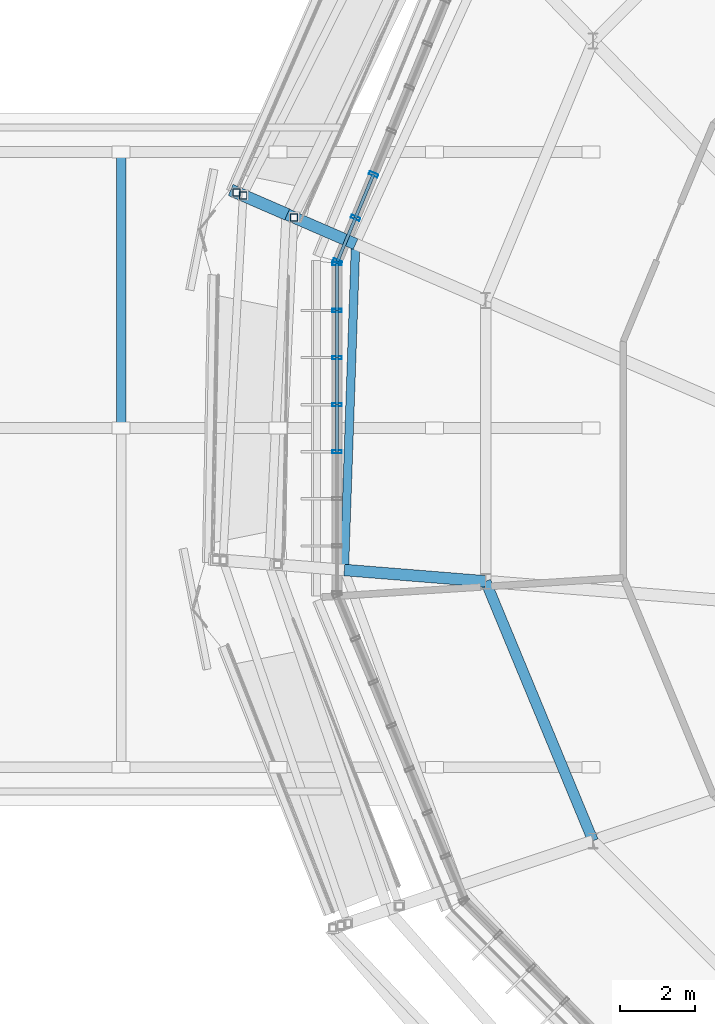
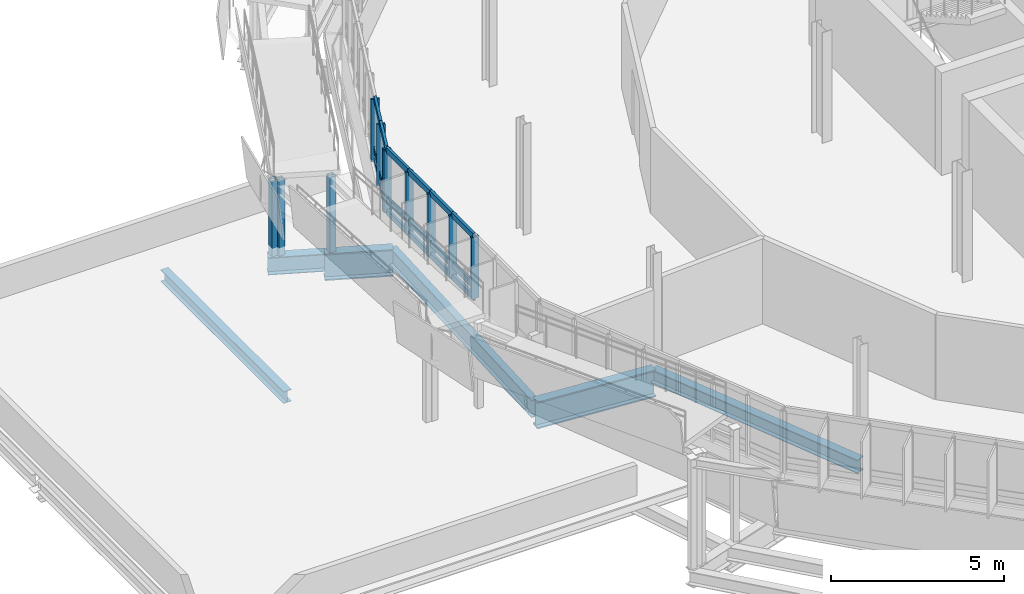
# One storey, part 14 of 61: 29 members, 6 beams, 2 elements without a shape of their own.
"""IFC4 building model written with IfcOpenShell, lengths in metres."""

import ifcopenshell
import ifcopenshell.guid

model = None  # the IFC model being written
_history = None  # IfcOwnerHistory: only IFC2X3 demands one
_inside = {}  # id of a spatial element -> (the spatial element, [elements in it])
_under = {}  # id of a project, library or spatial element -> (it, [spatial elements below it])
_declared = {}  # id of a project -> (the project, [libraries it declares])
_typed = {}  # id of a type object -> (the type object, [elements of that type])
_made_of = {}  # id of a material, layer set ... -> (it, [elements and type objects made of it])


def new_model(schema):
    """Start an empty IFC model of exactly this schema.

    Asked for "IFC4X3", IfcOpenShell would pick the latest addendum, in which some entities
    have other attributes; the version numbers below select the first issue.
    IFC2X3 requires an IfcOwnerHistory on every rooted entity: one is made here for all.
    """
    global model, _history
    if schema == "IFC4X3":
        model = ifcopenshell.file(schema_version=(4, 3, 0, 0))
    else:
        model = ifcopenshell.file(schema=schema)
    _inside.clear()
    _under.clear()
    _declared.clear()
    _typed.clear()
    _made_of.clear()
    _history = None
    if model.schema == "IFC2X3":
        org = make("IfcOrganization", Name="unknown")
        user = make(
            "IfcPersonAndOrganization",
            ThePerson=make("IfcPerson", FamilyName="unknown"),
            TheOrganization=org,
        )
        app = make(
            "IfcApplication",
            ApplicationDeveloper=org,
            Version="unknown",
            ApplicationFullName="unknown",
            ApplicationIdentifier="unknown",
        )
        _history = make(
            "IfcOwnerHistory",
            OwningUser=user,
            OwningApplication=app,
            ChangeAction="ADDED",
            CreationDate=0,
        )
    return model


def make(cls, **values):
    """One entity of the class cls with the attributes given. An attribute that is None is left unset."""
    return model.create_entity(
        cls, **{name: value for name, value in values.items() if value is not None}
    )


def rooted(cls, **values):
    """An entity with a GlobalId (a new one), such as an element, a storey or a relation."""
    return make(cls, GlobalId=ifcopenshell.guid.new(), OwnerHistory=_history, **values)


def si_unit(unit_type, name, prefix=None):
    """IfcSIUnit, for example si_unit("LENGTHUNIT", "METRE", prefix="MILLI")."""
    return make("IfcSIUnit", UnitType=unit_type, Prefix=prefix, Name=name)


def derived_unit(unit_type, elements):
    """IfcDerivedUnit: a product of units, each with its exponent."""
    return make(
        "IfcDerivedUnit",
        Elements=[
            make("IfcDerivedUnitElement", Unit=unit, Exponent=power)
            for unit, power in elements
        ],
        UnitType=unit_type,
    )


def assignment(units):
    """IfcUnitAssignment: the units of a project."""
    return None if units is None else make("IfcUnitAssignment", Units=units)


def point(xyz):
    """IfcCartesianPoint."""
    return None if xyz is None else make("IfcCartesianPoint", Coordinates=xyz)


def direction(xyz):
    """IfcDirection."""
    return None if xyz is None else make("IfcDirection", DirectionRatios=xyz)


def frame(location, z_axis=None, x_axis=None):
    """IfcAxis2Placement3D, a coordinate frame: its origin and axes. An axis left out is left unset."""
    return make(
        "IfcAxis2Placement3D",
        Location=point(location),
        Axis=direction(z_axis),
        RefDirection=direction(x_axis),
    )


def frame_2d(location, x_axis=None):
    """IfcAxis2Placement2D, a coordinate frame in the plane: its origin and x axis."""
    return make(
        "IfcAxis2Placement2D", Location=point(location), RefDirection=direction(x_axis)
    )


def origin():
    """The frame at (0, 0, 0) with its axes left unset."""
    return frame((0.0, 0.0, 0.0))


def origin_2d():
    """The frame at (0, 0) in the plane with its x axis left unset."""
    return frame_2d((0.0, 0.0))


def place(relative_to, where):
    """IfcLocalPlacement: puts the frame where relative to a parent placement (None: the world)."""
    return make(
        "IfcLocalPlacement", PlacementRelTo=relative_to, RelativePlacement=where
    )


def context(
    kind, dimensions, precision=None, world=None, true_north=None, identifier=None
):
    """IfcGeometricRepresentationContext, for example the 3D "Model" context."""
    return make(
        "IfcGeometricRepresentationContext",
        ContextIdentifier=identifier,
        ContextType=kind,
        CoordinateSpaceDimension=dimensions,
        Precision=precision,
        WorldCoordinateSystem=world,
        TrueNorth=true_north,
    )


def subcontext(parent, identifier, kind, view, scale=None):
    """IfcGeometricRepresentationSubContext, for example "Body" below "Model"."""
    return make(
        "IfcGeometricRepresentationSubContext",
        ContextIdentifier=identifier,
        ContextType=kind,
        ParentContext=parent,
        TargetScale=scale,
        TargetView=view,
    )


def project(units=None, contexts=None):
    """IfcProject with its units and contexts."""
    return rooted(
        "IfcProject",
        Name="project",
        RepresentationContexts=contexts,
        UnitsInContext=assignment(units),
    )


def spatial(cls, under=None, at=None, **own):
    """A site, building, storey or space (cls), placed at a placement, below another one or the project."""
    s = rooted(cls, ObjectPlacement=at, **own)
    if under is not None:
        _under.setdefault(under.id(), (under, []))[1].append(s)
    return s


def profile(cls, at=None, kind="AREA", **sizes):
    """A parametric profile (cls). Its sizes go by their IFC names, for example OverallWidth=200.0."""
    return make(cls, ProfileType=kind, Position=at, **sizes)


def hollow_rectangle(**sizes):
    """IfcRectangleHollowProfileDef."""
    return profile("IfcRectangleHollowProfileDef", **sizes)


def i_section(**sizes):
    """IfcIShapeProfileDef."""
    return profile("IfcIShapeProfileDef", **sizes)


def extrude(swept, where, along, depth):
    """IfcExtrudedAreaSolid: the profile swept, set in the frame where, extruded along a direction by depth."""
    return make(
        "IfcExtrudedAreaSolid",
        SweptArea=swept,
        Position=where,
        ExtrudedDirection=direction(along),
        Depth=depth,
    )


def shape(context_of_items, identifier, shape_type, items):
    """IfcShapeRepresentation: the items that make up one representation, for example the "Body"."""
    return make(
        "IfcShapeRepresentation",
        ContextOfItems=context_of_items,
        RepresentationIdentifier=identifier,
        RepresentationType=shape_type,
        Items=items,
    )


def material(Name=None, Category=None):
    """IfcMaterial."""
    return make("IfcMaterial", Name=Name, Category=Category)


def layer(
    of_material, thickness, ventilated=None, Name=None, Category=None, Priority=None
):
    """IfcMaterialLayer: one layer of a wall or slab, of a material (None: an air gap)."""
    return make(
        "IfcMaterialLayer",
        Material=of_material,
        LayerThickness=thickness,
        IsVentilated=ventilated,
        Name=Name,
        Category=Category,
        Priority=Priority,
    )


def layer_set(layers, Name=None):
    """IfcMaterialLayerSet."""
    return make("IfcMaterialLayerSet", MaterialLayers=layers, LayerSetName=Name)


def material_profile(
    of_material, cross_section, Name=None, Category=None, Priority=None
):
    """IfcMaterialProfile: a cross section and its material."""
    return make(
        "IfcMaterialProfile",
        Name=Name,
        Material=of_material,
        Profile=cross_section,
        Priority=Priority,
        Category=Category,
    )


def profile_set(profiles, Name=None, composite=None):
    """IfcMaterialProfileSet."""
    return make(
        "IfcMaterialProfileSet",
        Name=Name,
        MaterialProfiles=profiles,
        CompositeProfile=composite,
    )


def made_of(thing, what):
    """Note that an element or type object is made of a material, layer set ...; save() writes the relation."""
    if what is not None:
        _made_of.setdefault(what.id(), (what, []))[1].append(thing)
    return thing


def type_object(cls, material=None, **own):
    """A type object (cls), such as IfcWallType, which elements share."""
    return made_of(rooted(cls, **own), material)


def element(
    cls,
    number,
    at=None,
    inside=None,
    cuts=None,
    type_object=None,
    material=None,
    context=None,
    identifier="Body",
    shape_type=None,
    held_by="IfcProductDefinitionShape",
    body=None,
    shapes=None,
    **own,
):
    """One element of the class cls, such as IfcWall. Its Tag is "e" and its number.

    at: its placement. inside: the storey or other place that contains it. cuts: it is an
    opening in that element (IfcRelVoidsElement). A single representation is given by context,
    identifier, shape_type and body (its items); several are given by shapes. held_by: the class
    of the entity that holds the representations. save() writes the other relations.
    """
    e = rooted(cls, Tag="e%d" % number, ObjectPlacement=at, **own)
    if body is not None:
        shapes = [shape(context, identifier, shape_type, body)]
    if shapes is not None:
        e.Representation = make(held_by, Representations=shapes)
    if inside is not None:
        _inside.setdefault(inside.id(), (inside, []))[1].append(e)
    if cuts is not None:
        rooted(
            "IfcRelVoidsElement", RelatingBuildingElement=cuts, RelatedOpeningElement=e
        )
    if type_object is not None:
        _typed.setdefault(type_object.id(), (type_object, []))[1].append(e)
    return made_of(e, material)


def aggregate(whole, parts):
    """IfcRelAggregates: a whole, such as a stair, and the parts it consists of."""
    return rooted("IfcRelAggregates", RelatingObject=whole, RelatedObjects=parts)


def save(model, path):
    """Write the relations noted so far, then the file.

    IfcRelAggregates (storeys below a building ...), IfcRelContainedInSpatialStructure (elements
    in a storey), IfcRelDefinesByType, IfcRelAssociatesMaterial and IfcRelDeclares: one each for
    every whole, place, type object, material and project.
    """
    for whole, parts in _under.values():
        aggregate(whole, parts)
    for where, things in _inside.values():
        rooted(
            "IfcRelContainedInSpatialStructure",
            RelatedElements=things,
            RelatingStructure=where,
        )
    for kind, things in _typed.values():
        rooted("IfcRelDefinesByType", RelatedObjects=things, RelatingType=kind)
    for what, things in _made_of.values():
        rooted("IfcRelAssociatesMaterial", RelatedObjects=things, RelatingMaterial=what)
    for by, libraries in _declared.values():
        rooted("IfcRelDeclares", RelatingContext=by, RelatedDefinitions=libraries)
    model.write(path)


model = new_model("IFC4")

# Units and contexts
model_context = context("Model", 3, precision=1e-05, world=origin(), true_north=direction((0.0, 1.0)))
body_context = subcontext(model_context, "Body", "Model", "MODEL_VIEW")
ifc_project = project(units=[si_unit("LENGTHUNIT", "METRE"), si_unit("AREAUNIT", "SQUARE_METRE"), si_unit("VOLUMEUNIT", "CUBIC_METRE"), si_unit("PLANEANGLEUNIT", "RADIAN"), si_unit("MASSUNIT", "GRAM", prefix="KILO"), derived_unit("THERMALTRANSMITTANCEUNIT", [(si_unit("MASSUNIT", "GRAM", prefix="KILO"), 1), (si_unit("TIMEUNIT", "SECOND"), -3), (si_unit("THERMODYNAMICTEMPERATUREUNIT", "KELVIN"), -1)])], contexts=[model_context])

# Site, building, storey
site_placement = place(None, origin())
site = spatial("IfcSite", under=ifc_project, at=site_placement, CompositionType="ELEMENT")
building_placement = place(site_placement, origin())
building = spatial("IfcBuilding", under=site, at=building_placement, Name="Makaiwela Harbour Ferry Terminal", CompositionType="ELEMENT")
storey_placement = place(building_placement, frame((0.0, 0.0, 13.800048828125)))
storey = spatial("IfcBuildingStorey", under=building, at=storey_placement, Name="L03", CompositionType="ELEMENT", Elevation=13.800048828125)

# Curtain wall, members
ifc_material_1 = material(Name="Marine anodised aluminium 6063-T6", Category="aluminium")
ifc_layer = layer(ifc_material_1, 0.199951171875)
ifc_layer_set = layer_set([ifc_layer], Name="Marine anodised aluminium 6063-T6")
curtain_wall_type = type_object("IfcCurtainWallType", Name="ENV-CW-05", PredefinedType="USERDEFINED", material=ifc_layer_set)
curtain_wall_1_placement = place(storey_placement, origin())
curtain_wall_1 = element("IfcCurtainWall", 1, at=curtain_wall_1_placement, inside=storey, type_object=curtain_wall_type, Name="Unitised Curtain Wall CWA-034", ObjectType="UNITIZED CURTAIN WALL", PredefinedType="USERDEFINED")
ifc_material_profile_1 = material_profile(ifc_material_1, hollow_rectangle(XDim=0.0849609375, YDim=0.25, WallThickness=0.0048828125, at=origin_2d()), Name="CWM-250X85")
ifc_profile_set_1 = profile_set([ifc_material_profile_1], Name="Marine anodised aluminium 6063-T6")
member_type_1 = type_object("IfcMemberType", Name="CW-MUL-250", PredefinedType="MULLION", material=ifc_profile_set_1)
member_1_placement = place(storey_placement, frame((15.165771484375, 75.248291015625, 1.47998046875), z_axis=(0.0, 0.0, 1.0), x_axis=(0.382683432365, 0.923879532511, 0.0)))
member_1 = element("IfcMember", 2, at=member_1_placement, type_object=member_type_1, Name="Curtain Wall Mullion CWA-034-6", PredefinedType="MULLION", context=body_context, shape_type="SweptSolid", body=[
    extrude(hollow_rectangle(XDim=0.0849609375, YDim=0.25, WallThickness=0.0048828125, at=origin_2d()), origin(), (0.0, 0.0, 1.0), 2.179931640625),
])
member_2_placement = place(storey_placement, frame((14.6826171875, 74.08203125, 1.47998046875), z_axis=(0.0, 0.0, 1.0), x_axis=(0.382683432365, 0.923879532511, 0.0)))
member_2 = element("IfcMember", 3, at=member_2_placement, type_object=member_type_1, Name="Curtain Wall Mullion CWA-034-7", PredefinedType="MULLION", context=body_context, shape_type="SweptSolid", body=[
    extrude(hollow_rectangle(XDim=0.0849609375, YDim=0.25, WallThickness=0.0048828125, at=origin_2d()), origin(), (0.0, 0.0, 1.0), 2.179931640625),
])
member_3_placement = place(storey_placement, frame((14.19970703125, 72.915771484375, 1.47998046875), z_axis=(0.0, 0.0, 1.0), x_axis=(0.382683432365, 0.923879532511, 0.0)))
member_3 = element("IfcMember", 4, at=member_3_placement, type_object=member_type_1, Name="Curtain Wall Mullion CWA-034-8", PredefinedType="MULLION", context=body_context, shape_type="SweptSolid", body=[
    extrude(hollow_rectangle(XDim=0.0849609375, YDim=0.25, WallThickness=0.0048828125, at=origin_2d()), origin(), (0.0, 0.0, 1.0), 2.179931640625),
])

curtain_wall_2_placement = place(storey_placement, origin())
curtain_wall_2 = element("IfcCurtainWall", 5, at=curtain_wall_2_placement, inside=storey, type_object=curtain_wall_type, Name="Unitised Curtain Wall CWA-035", ObjectType="UNITIZED CURTAIN WALL", PredefinedType="USERDEFINED")
member_4_placement = place(storey_placement, frame((14.18798828125, 72.858154296875, 1.47998046875), z_axis=(0.0, 0.0, 1.0), x_axis=(0.0, 1.0, 0.0)))
member_4 = element("IfcMember", 6, at=member_4_placement, type_object=member_type_1, Name="Curtain Wall Mullion CWA-035-1", PredefinedType="MULLION", context=body_context, shape_type="SweptSolid", body=[
    extrude(hollow_rectangle(XDim=0.0849609375, YDim=0.25, WallThickness=0.0048828125, at=origin_2d()), origin(), (0.0, 0.0, 1.0), 2.179931640625),
])
member_5_placement = place(storey_placement, frame((14.18798828125, 71.595703125, 1.47998046875), z_axis=(0.0, 0.0, 1.0), x_axis=(0.0, 1.0, 0.0)))
member_5 = element("IfcMember", 7, at=member_5_placement, type_object=member_type_1, Name="Curtain Wall Mullion CWA-035-2", PredefinedType="MULLION", context=body_context, shape_type="SweptSolid", body=[
    extrude(hollow_rectangle(XDim=0.0849609375, YDim=0.25, WallThickness=0.0048828125, at=origin_2d()), origin(), (0.0, 0.0, 1.0), 2.179931640625),
])
member_6_placement = place(storey_placement, frame((14.18798828125, 70.33349609375, 1.47998046875), z_axis=(0.0, 0.0, 1.0), x_axis=(0.0, 1.0, 0.0)))
member_6 = element("IfcMember", 8, at=member_6_placement, type_object=member_type_1, Name="Curtain Wall Mullion CWA-035-3", PredefinedType="MULLION", context=body_context, shape_type="SweptSolid", body=[
    extrude(hollow_rectangle(XDim=0.0849609375, YDim=0.25, WallThickness=0.0048828125, at=origin_2d()), origin(), (0.0, 0.0, 1.0), 2.179931640625),
])
member_7_placement = place(storey_placement, frame((14.18798828125, 69.0712890625, 1.47998046875), z_axis=(0.0, 0.0, 1.0), x_axis=(0.0, 1.0, 0.0)))
member_7 = element("IfcMember", 9, at=member_7_placement, type_object=member_type_1, Name="Curtain Wall Mullion CWA-035-4", PredefinedType="MULLION", context=body_context, shape_type="SweptSolid", body=[
    extrude(hollow_rectangle(XDim=0.0849609375, YDim=0.25, WallThickness=0.0048828125, at=origin_2d()), origin(), (0.0, 0.0, 1.0), 2.179931640625),
])
member_8_placement = place(storey_placement, frame((14.18798828125, 67.808837890625, 1.47998046875), z_axis=(0.0, 0.0, 1.0), x_axis=(0.0, 1.0, 0.0)))
member_8 = element("IfcMember", 10, at=member_8_placement, type_object=member_type_1, Name="Curtain Wall Mullion CWA-035-5", PredefinedType="MULLION", context=body_context, shape_type="SweptSolid", body=[
    extrude(hollow_rectangle(XDim=0.0849609375, YDim=0.25, WallThickness=0.0048828125, at=origin_2d()), origin(), (0.0, 0.0, 1.0), 2.179931640625),
])

# Member
ifc_material_profile_2 = material_profile(ifc_material_1, hollow_rectangle(XDim=0.0849609375, YDim=0.199951171875, WallThickness=0.0048828125, at=origin_2d()), Name="CWT-200X85")
ifc_profile_set_2 = profile_set([ifc_material_profile_2], Name="Marine anodised aluminium 6063-T6")
member_type_2 = type_object("IfcMemberType", Name="CW-TRN-200", PredefinedType="USERDEFINED", material=ifc_profile_set_2)
member_9_placement = place(storey_placement, frame((15.165771484375, 75.248291015625, 1.47998046875), z_axis=(-0.38273325349, -0.923858894352, 0.0), x_axis=(0.923858894352, -0.38273325349, 0.0)))
member_9 = element("IfcMember", 11, at=member_9_placement, type_object=member_type_2, Name="Curtain Wall Transom CWA-034-6-1", ObjectType="TRANSOM", PredefinedType="USERDEFINED", context=body_context, shape_type="SweptSolid", body=[
    extrude(hollow_rectangle(XDim=0.0849609375, YDim=0.199951171875, WallThickness=0.0048828125, at=origin_2d()), origin(), (0.0, 0.0, 1.0), 1.262451171875),
])

member_10_placement = place(storey_placement, frame((15.165771484375, 75.248291015625, 1.89990234375), z_axis=(-0.38273325349, -0.923858894352, 0.0), x_axis=(0.923858894352, -0.38273325349, 0.0)))
member_10 = element("IfcMember", 12, at=member_10_placement, type_object=member_type_2, Name="Curtain Wall Transom CWA-034-6-2", ObjectType="TRANSOM", PredefinedType="USERDEFINED", context=body_context, shape_type="SweptSolid", body=[
    extrude(hollow_rectangle(XDim=0.0849609375, YDim=0.199951171875, WallThickness=0.0048828125, at=origin_2d()), origin(), (0.0, 0.0, 1.0), 1.262451171875),
])

member_11_placement = place(storey_placement, frame((15.165771484375, 75.248291015625, 3.659912109375), z_axis=(-0.38273325349, -0.923858894352, 0.0), x_axis=(0.923858894352, -0.38273325349, 0.0)))
member_11 = element("IfcMember", 13, at=member_11_placement, type_object=member_type_2, Name="Curtain Wall Transom CWA-034-6-3", ObjectType="TRANSOM", PredefinedType="USERDEFINED", context=body_context, shape_type="SweptSolid", body=[
    extrude(hollow_rectangle(XDim=0.0849609375, YDim=0.199951171875, WallThickness=0.0048828125, at=origin_2d()), origin(), (0.0, 0.0, 1.0), 1.262451171875),
])

member_12_placement = place(storey_placement, frame((14.6826171875, 74.08203125, 1.47998046875), z_axis=(-0.382568167619, -0.923927268309, 0.0), x_axis=(0.923927268309, -0.382568167619, 0.0)))
member_12 = element("IfcMember", 14, at=member_12_placement, type_object=member_type_2, Name="Curtain Wall Transom CWA-034-7-1", ObjectType="TRANSOM", PredefinedType="USERDEFINED", context=body_context, shape_type="SweptSolid", body=[
    extrude(hollow_rectangle(XDim=0.0849609375, YDim=0.199951171875, WallThickness=0.0048828125, at=origin_2d()), origin(), (0.0, 0.0, 1.0), 1.26220703125),
])

member_13_placement = place(storey_placement, frame((14.6826171875, 74.08203125, 1.89990234375), z_axis=(-0.382568167619, -0.923927268309, 0.0), x_axis=(0.923927268309, -0.382568167619, 0.0)))
member_13 = element("IfcMember", 15, at=member_13_placement, type_object=member_type_2, Name="Curtain Wall Transom CWA-034-7-2", ObjectType="TRANSOM", PredefinedType="USERDEFINED", context=body_context, shape_type="SweptSolid", body=[
    extrude(hollow_rectangle(XDim=0.0849609375, YDim=0.199951171875, WallThickness=0.0048828125, at=origin_2d()), origin(), (0.0, 0.0, 1.0), 1.26220703125),
])

member_14_placement = place(storey_placement, frame((14.6826171875, 74.08203125, 3.659912109375), z_axis=(-0.382568167619, -0.923927268309, 0.0), x_axis=(0.923927268309, -0.382568167619, 0.0)))
member_14 = element("IfcMember", 16, at=member_14_placement, type_object=member_type_2, Name="Curtain Wall Transom CWA-034-7-3", ObjectType="TRANSOM", PredefinedType="USERDEFINED", context=body_context, shape_type="SweptSolid", body=[
    extrude(hollow_rectangle(XDim=0.0849609375, YDim=0.199951171875, WallThickness=0.0048828125, at=origin_2d()), origin(), (0.0, 0.0, 1.0), 1.26220703125),
])

aggregate(curtain_wall_1, [member_1, member_2, member_3, member_9, member_10, member_11, member_12, member_13, member_14])

member_15_placement = place(storey_placement, frame((14.18798828125, 72.858154296875, 1.47998046875), z_axis=(0.0, -1.0, 0.0), x_axis=(1.0, 0.0, 0.0)))
member_15 = element("IfcMember", 17, at=member_15_placement, type_object=member_type_2, Name="Curtain Wall Transom CWA-035-1-1", ObjectType="TRANSOM", PredefinedType="USERDEFINED", context=body_context, shape_type="SweptSolid", body=[
    extrude(hollow_rectangle(XDim=0.0849609375, YDim=0.199951171875, WallThickness=0.0048828125, at=origin_2d()), origin(), (0.0, 0.0, 1.0), 1.262451171875),
])

member_16_placement = place(storey_placement, frame((14.18798828125, 72.858154296875, 1.89990234375), z_axis=(0.0, -1.0, 0.0), x_axis=(1.0, 0.0, 0.0)))
member_16 = element("IfcMember", 18, at=member_16_placement, type_object=member_type_2, Name="Curtain Wall Transom CWA-035-1-2", ObjectType="TRANSOM", PredefinedType="USERDEFINED", context=body_context, shape_type="SweptSolid", body=[
    extrude(hollow_rectangle(XDim=0.0849609375, YDim=0.199951171875, WallThickness=0.0048828125, at=origin_2d()), origin(), (0.0, 0.0, 1.0), 1.262451171875),
])

member_17_placement = place(storey_placement, frame((14.18798828125, 72.858154296875, 3.659912109375), z_axis=(0.0, -1.0, 0.0), x_axis=(1.0, 0.0, 0.0)))
member_17 = element("IfcMember", 19, at=member_17_placement, type_object=member_type_2, Name="Curtain Wall Transom CWA-035-1-3", ObjectType="TRANSOM", PredefinedType="USERDEFINED", context=body_context, shape_type="SweptSolid", body=[
    extrude(hollow_rectangle(XDim=0.0849609375, YDim=0.199951171875, WallThickness=0.0048828125, at=origin_2d()), origin(), (0.0, 0.0, 1.0), 1.262451171875),
])

member_18_placement = place(storey_placement, frame((14.18798828125, 71.595703125, 1.47998046875), z_axis=(0.0, -1.0, 0.0), x_axis=(1.0, 0.0, 0.0)))
member_18 = element("IfcMember", 20, at=member_18_placement, type_object=member_type_2, Name="Curtain Wall Transom CWA-035-2-1", ObjectType="TRANSOM", PredefinedType="USERDEFINED", context=body_context, shape_type="SweptSolid", body=[
    extrude(hollow_rectangle(XDim=0.0849609375, YDim=0.199951171875, WallThickness=0.0048828125, at=origin_2d()), origin(), (0.0, 0.0, 1.0), 1.26220703125),
])

member_19_placement = place(storey_placement, frame((14.18798828125, 71.595703125, 1.89990234375), z_axis=(0.0, -1.0, 0.0), x_axis=(1.0, 0.0, 0.0)))
member_19 = element("IfcMember", 21, at=member_19_placement, type_object=member_type_2, Name="Curtain Wall Transom CWA-035-2-2", ObjectType="TRANSOM", PredefinedType="USERDEFINED", context=body_context, shape_type="SweptSolid", body=[
    extrude(hollow_rectangle(XDim=0.0849609375, YDim=0.199951171875, WallThickness=0.0048828125, at=origin_2d()), origin(), (0.0, 0.0, 1.0), 1.26220703125),
])

member_20_placement = place(storey_placement, frame((14.18798828125, 71.595703125, 3.659912109375), z_axis=(0.0, -1.0, 0.0), x_axis=(1.0, 0.0, 0.0)))
member_20 = element("IfcMember", 22, at=member_20_placement, type_object=member_type_2, Name="Curtain Wall Transom CWA-035-2-3", ObjectType="TRANSOM", PredefinedType="USERDEFINED", context=body_context, shape_type="SweptSolid", body=[
    extrude(hollow_rectangle(XDim=0.0849609375, YDim=0.199951171875, WallThickness=0.0048828125, at=origin_2d()), origin(), (0.0, 0.0, 1.0), 1.26220703125),
])

member_21_placement = place(storey_placement, frame((14.18798828125, 70.33349609375, 1.47998046875), z_axis=(0.0, -1.0, 0.0), x_axis=(1.0, 0.0, 0.0)))
member_21 = element("IfcMember", 23, at=member_21_placement, type_object=member_type_2, Name="Curtain Wall Transom CWA-035-3-1", ObjectType="TRANSOM", PredefinedType="USERDEFINED", context=body_context, shape_type="SweptSolid", body=[
    extrude(hollow_rectangle(XDim=0.0849609375, YDim=0.199951171875, WallThickness=0.0048828125, at=origin_2d()), origin(), (0.0, 0.0, 1.0), 1.26220703125),
])

member_22_placement = place(storey_placement, frame((14.18798828125, 70.33349609375, 1.89990234375), z_axis=(0.0, -1.0, 0.0), x_axis=(1.0, 0.0, 0.0)))
member_22 = element("IfcMember", 24, at=member_22_placement, type_object=member_type_2, Name="Curtain Wall Transom CWA-035-3-2", ObjectType="TRANSOM", PredefinedType="USERDEFINED", context=body_context, shape_type="SweptSolid", body=[
    extrude(hollow_rectangle(XDim=0.0849609375, YDim=0.199951171875, WallThickness=0.0048828125, at=origin_2d()), origin(), (0.0, 0.0, 1.0), 1.26220703125),
])

member_23_placement = place(storey_placement, frame((14.18798828125, 70.33349609375, 3.659912109375), z_axis=(0.0, -1.0, 0.0), x_axis=(1.0, 0.0, 0.0)))
member_23 = element("IfcMember", 25, at=member_23_placement, type_object=member_type_2, Name="Curtain Wall Transom CWA-035-3-3", ObjectType="TRANSOM", PredefinedType="USERDEFINED", context=body_context, shape_type="SweptSolid", body=[
    extrude(hollow_rectangle(XDim=0.0849609375, YDim=0.199951171875, WallThickness=0.0048828125, at=origin_2d()), origin(), (0.0, 0.0, 1.0), 1.26220703125),
])

member_24_placement = place(storey_placement, frame((14.18798828125, 69.0712890625, 1.47998046875), z_axis=(0.0, -1.0, 0.0), x_axis=(1.0, 0.0, 0.0)))
member_24 = element("IfcMember", 26, at=member_24_placement, type_object=member_type_2, Name="Curtain Wall Transom CWA-035-4-1", ObjectType="TRANSOM", PredefinedType="USERDEFINED", context=body_context, shape_type="SweptSolid", body=[
    extrude(hollow_rectangle(XDim=0.0849609375, YDim=0.199951171875, WallThickness=0.0048828125, at=origin_2d()), origin(), (0.0, 0.0, 1.0), 1.262451171875),
])

member_25_placement = place(storey_placement, frame((14.18798828125, 69.0712890625, 1.89990234375), z_axis=(0.0, -1.0, 0.0), x_axis=(1.0, 0.0, 0.0)))
member_25 = element("IfcMember", 27, at=member_25_placement, type_object=member_type_2, Name="Curtain Wall Transom CWA-035-4-2", ObjectType="TRANSOM", PredefinedType="USERDEFINED", context=body_context, shape_type="SweptSolid", body=[
    extrude(hollow_rectangle(XDim=0.0849609375, YDim=0.199951171875, WallThickness=0.0048828125, at=origin_2d()), origin(), (0.0, 0.0, 1.0), 1.262451171875),
])

member_26_placement = place(storey_placement, frame((14.18798828125, 69.0712890625, 3.659912109375), z_axis=(0.0, -1.0, 0.0), x_axis=(1.0, 0.0, 0.0)))
member_26 = element("IfcMember", 28, at=member_26_placement, type_object=member_type_2, Name="Curtain Wall Transom CWA-035-4-3", ObjectType="TRANSOM", PredefinedType="USERDEFINED", context=body_context, shape_type="SweptSolid", body=[
    extrude(hollow_rectangle(XDim=0.0849609375, YDim=0.199951171875, WallThickness=0.0048828125, at=origin_2d()), origin(), (0.0, 0.0, 1.0), 1.262451171875),
])

aggregate(curtain_wall_2, [member_4, member_5, member_6, member_7, member_8, member_15, member_16, member_17, member_18, member_19, member_20, member_21, member_22, member_23, member_24, member_25, member_26])

# Beams
ifc_material_2 = material(Name="Steel ASTM A992 Grade 50", Category="steel")
ifc_material_profile_3 = material_profile(ifc_material_2, i_section(OverallWidth=0.324951171875, OverallDepth=0.615966796875, WebThickness=0.013916015625, FlangeThickness=0.021484375, at=origin_2d()), Name="W24X117")
ifc_profile_set_3 = profile_set([ifc_material_profile_3], Name="Steel ASTM A992 Grade 50")
beam_type_1 = type_object("IfcBeamType", Name="STR-GRD-W24X117", PredefinedType="USERDEFINED", material=ifc_profile_set_3)
beam_1_placement = place(storey_placement, frame((12.849609375, 74.172607421875, -0.56298828125), z_axis=(-0.917453038424, 0.39784409294, 0.0), x_axis=(-0.39784409294, -0.917453038424, 0.0)))
element("IfcBeam", 29, at=beam_1_placement, inside=storey, type_object=beam_type_1, Name="Promenade terrace bracket 300", ObjectType="GIRDER", PredefinedType="USERDEFINED", context=body_context, shape_type="SweptSolid", body=[
    extrude(i_section(OverallWidth=0.324951171875, OverallDepth=0.615966796875, WebThickness=0.013916015625, FlangeThickness=0.021484375, at=origin_2d()), origin(), (0.0, 0.0, 1.0), 1.650146484375),
])
ifc_material_profile_4 = material_profile(ifc_material_2, i_section(OverallWidth=0.22900390625, OverallDepth=0.612060546875, WebThickness=0.011962890625, FlangeThickness=0.01953125, at=origin_2d()), Name="W24X84")
ifc_profile_set_4 = profile_set([ifc_material_profile_4], Name="Steel ASTM A992 Grade 50")
beam_type_2 = type_object("IfcBeamType", Name="STR-GRD-W24X84", PredefinedType="USERDEFINED", material=ifc_profile_set_4)
beam_2_placement = place(storey_placement, frame((14.6845703125, 73.376953125, -0.56103515625), z_axis=(-0.034487282234, -0.999405136751, 0.0), x_axis=(0.999405136751, -0.034487282234, 0.0)))
element("IfcBeam", 30, at=beam_2_placement, inside=storey, type_object=beam_type_2, Name="Drum overhang tie girder 342", ObjectType="GIRDER", PredefinedType="USERDEFINED", context=body_context, shape_type="SweptSolid", body=[
    extrude(i_section(OverallWidth=0.22900390625, OverallDepth=0.612060546875, WebThickness=0.011962890625, FlangeThickness=0.01953125, at=origin_2d()), origin(), (0.0, 0.0, 1.0), 8.74267578125),
])
ifc_material_profile_5 = material_profile(ifc_material_2, i_section(OverallWidth=0.31005859375, OverallDepth=0.949951171875, WebThickness=0.0244140625, FlangeThickness=0.0439453125, at=origin_2d()), Name="W36X256")
ifc_profile_set_5 = profile_set([ifc_material_profile_5], Name="Steel ASTM A992 Grade 50")
beam_type_3 = type_object("IfcBeamType", Name="STR-GRD-W36X256", PredefinedType="USERDEFINED", material=ifc_profile_set_5)
beam_3_placement = place(storey_placement, frame((14.6845703125, 73.376953125, -0.72998046875), z_axis=(-0.917463564377, 0.397819818561, 0.0), x_axis=(-0.397819818561, -0.917463564377, 0.0)))
element("IfcBeam", 31, at=beam_3_placement, inside=storey, type_object=beam_type_3, Name="Drum overhang radial girder 299", ObjectType="GIRDER", PredefinedType="USERDEFINED", context=body_context, shape_type="SweptSolid", body=[
    extrude(i_section(OverallWidth=0.31005859375, OverallDepth=0.949951171875, WebThickness=0.0244140625, FlangeThickness=0.0439453125, at=origin_2d()), origin(), (0.0, 0.0, 1.0), 2.0),
])
beam_4_placement = place(storey_placement, frame((18.1708984375, 64.334716796875, -0.72998046875), z_axis=(-0.996780456317, 0.080179310956, 0.0), x_axis=(-0.080179310956, -0.996780456317, 0.0)))
element("IfcBeam", 32, at=beam_4_placement, inside=storey, type_object=beam_type_3, Name="Drum radial overhang 302", ObjectType="GIRDER", PredefinedType="USERDEFINED", context=body_context, shape_type="SweptSolid", body=[
    extrude(i_section(OverallWidth=0.31005859375, OverallDepth=0.949951171875, WebThickness=0.0244140625, FlangeThickness=0.0439453125, at=origin_2d()), origin(), (0.0, 0.0, 1.0), 3.800048828125),
])
ifc_material_profile_6 = material_profile(ifc_material_2, i_section(OverallWidth=0.260986328125, OverallDepth=0.4189453125, WebThickness=0.01171875, FlangeThickness=0.019287109375, at=origin_2d()), Name="W16X77")
ifc_profile_set_6 = profile_set([ifc_material_profile_6], Name="Steel ASTM A992 Grade 50")
beam_type_4 = type_object("IfcBeamType", Name="STR-JST-W16X77", PredefinedType="JOIST", material=ifc_profile_set_6)
beam_5_placement = place(storey_placement, frame((8.39990234375, 68.591064453125, -0.449462890625), z_axis=(0.0, 1.0, 0.0), x_axis=(-1.0, 0.0, 0.0)))
element("IfcBeam", 33, at=beam_5_placement, inside=storey, type_object=beam_type_4, Name="Structural Beam J-02", PredefinedType="JOIST", context=body_context, shape_type="SweptSolid", body=[
    extrude(i_section(OverallWidth=0.260986328125, OverallDepth=0.4189453125, WebThickness=0.01171875, FlangeThickness=0.019287109375, at=origin_2d()), origin(), (0.0, 0.0, 1.0), 7.117919921875),
])

# Members
ifc_material_3 = material(Name="Steel ASTM A500 Grade C", Category="steel")
ifc_material_profile_7 = material_profile(ifc_material_3, hollow_rectangle(XDim=0.202880859375, YDim=0.202880859375, WallThickness=0.01171875, at=origin_2d()), Name="HSS8X8X1/2")
ifc_profile_set_7 = profile_set([ifc_material_profile_7], Name="Steel ASTM A500 Grade C")
member_type_3 = type_object("IfcMemberType", Name="STR-PST-HSS8", PredefinedType="POST", material=ifc_profile_set_7)
member_27_placement = place(storey_placement, frame((11.49267578125, 74.760986328125, -0.275146484375), z_axis=(0.0, 0.0, 1.0), x_axis=(1.0, 0.0, 0.0)))
element("IfcMember", 34, at=member_27_placement, inside=storey, type_object=member_type_3, Name="Exterior Ramp Support Post RP-0003", PredefinedType="POST", context=body_context, shape_type="SweptSolid", body=[
    extrude(hollow_rectangle(XDim=0.202880859375, YDim=0.202880859375, WallThickness=0.01171875, at=origin_2d()), origin(), (0.0, 0.0, 1.0), 2.705078125),
])
member_28_placement = place(storey_placement, frame((11.67138671875, 74.68359375, -0.275146484375), z_axis=(0.0, 0.0, 1.0), x_axis=(1.0, 0.0, 0.0)))
element("IfcMember", 35, at=member_28_placement, inside=storey, type_object=member_type_3, Name="Exterior Ramp Support Post RP-0004", PredefinedType="POST", context=body_context, shape_type="SweptSolid", body=[
    extrude(hollow_rectangle(XDim=0.202880859375, YDim=0.202880859375, WallThickness=0.01171875, at=origin_2d()), origin(), (0.0, 0.0, 1.0), 2.697021484375),
])
member_29_placement = place(storey_placement, frame((13.034912109375, 74.09228515625, -0.275146484375), z_axis=(0.0, 0.0, 1.0), x_axis=(1.0, 0.0, 0.0)))
element("IfcMember", 36, at=member_29_placement, inside=storey, type_object=member_type_3, Name="Exterior Ramp Support Post RP-0006", PredefinedType="POST", context=body_context, shape_type="SweptSolid", body=[
    extrude(hollow_rectangle(XDim=0.202880859375, YDim=0.202880859375, WallThickness=0.01171875, at=origin_2d()), origin(), (0.0, 0.0, 1.0), 2.7001953125),
])

# Beam
ifc_material_profile_8 = material_profile(ifc_material_2, i_section(OverallWidth=0.283935546875, OverallDepth=0.47607421875, WebThickness=0.014892578125, FlangeThickness=0.02392578125, at=origin_2d()), Name="W18X106")
ifc_profile_set_8 = profile_set([ifc_material_profile_8], Name="Steel ASTM A992 Grade 50")
beam_type_5 = type_object("IfcBeamType", Name="STR-SPN-W18X106", PredefinedType="SPANDREL", material=ifc_profile_set_8)
beam_6_placement = place(storey_placement, frame((18.1708984375, 64.334716796875, -0.4931640625), z_axis=(0.382660079618, -0.92388920519, 0.0), x_axis=(0.92388920519, 0.382660079618, 0.0)))
element("IfcBeam", 37, at=beam_6_placement, inside=storey, type_object=beam_type_5, Name="Drum column ring girder 263", PredefinedType="SPANDREL", context=body_context, shape_type="SweptSolid", body=[
    extrude(i_section(OverallWidth=0.283935546875, OverallDepth=0.47607421875, WebThickness=0.014892578125, FlangeThickness=0.02392578125, at=origin_2d()), origin(), (0.0, 0.0, 1.0), 7.530517578125),
])

save(model, "model.ifc")
